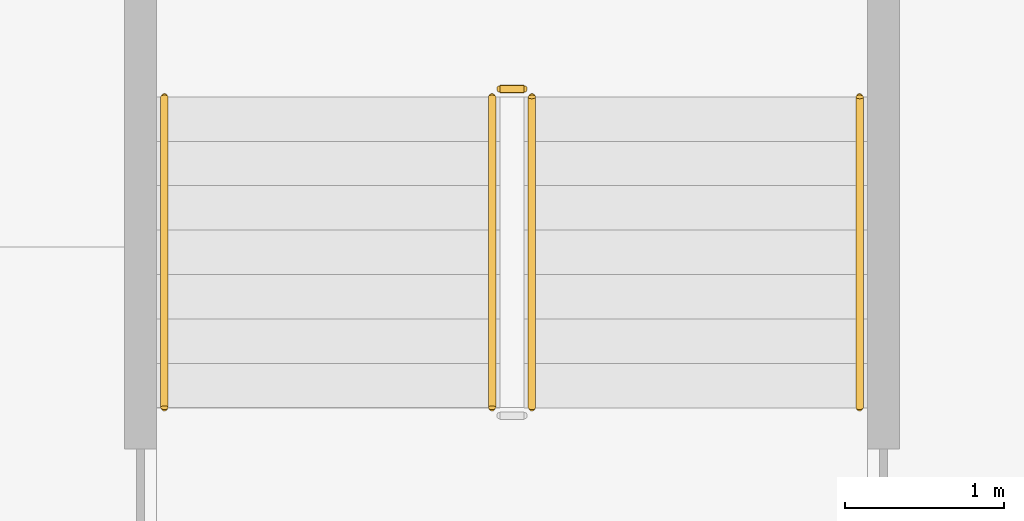
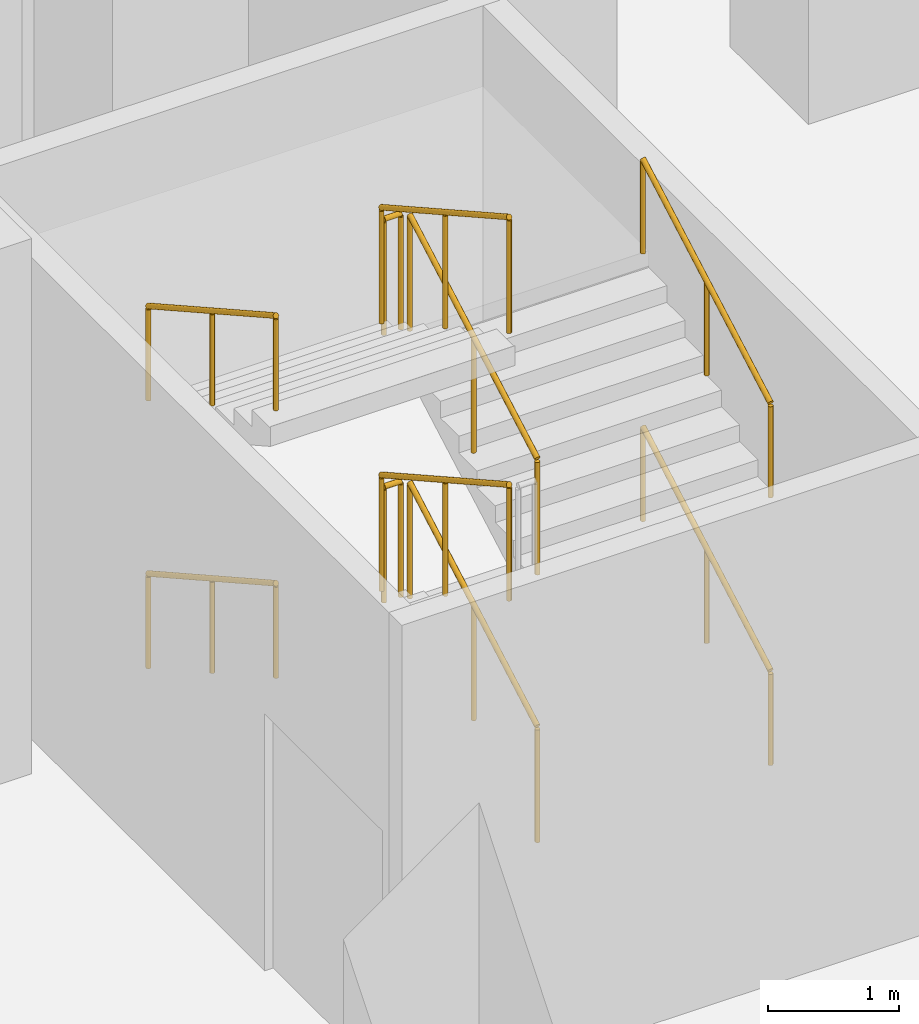
# One storey, part 25 of 27: 10 railings.
"""IFC4 building model written with IfcOpenShell, lengths in metres."""

from ifc_helpers import new_model, si_unit, direction, frame, origin, origin_2d, place, context, subcontext, project, spatial, circle, extrude, material, type_object, element, save


model = new_model("IFC4")

# Units and contexts
model_context = context("Model", 3, precision=1e-05, world=origin(), true_north=direction((0.0, 1.0)))
body_context = subcontext(model_context, "Body", "Model", "MODEL_VIEW")
ifc_project = project(units=[si_unit("LENGTHUNIT", "METRE"), si_unit("AREAUNIT", "SQUARE_METRE"), si_unit("VOLUMEUNIT", "CUBIC_METRE"), si_unit("PLANEANGLEUNIT", "RADIAN"), si_unit("MASSUNIT", "GRAM", prefix="KILO")], contexts=[model_context])

# Site, building, storey
site_placement = place(None, origin())
site = spatial("IfcSite", under=ifc_project, at=site_placement, CompositionType="ELEMENT")
building_placement = place(site_placement, origin())
building = spatial("IfcBuilding", under=site, at=building_placement, Name="Calabash Gate Tower", CompositionType="ELEMENT")
storey_placement = place(building_placement, frame((0.0, 0.0, -10.0)))
storey = spatial("IfcBuildingStorey", under=building, at=storey_placement, Name="B2", CompositionType="ELEMENT", Elevation=-10.0)

# Railings
ifc_material_1 = material(Name="Black powder-coated steel balusters", Category="steel")
railing_type_1 = type_object("IfcRailingType", Name="Stair guard RL1100", PredefinedType="GUARDRAIL", material=ifc_material_1)
railing_1_placement = place(storey_placement, frame((-35.81005859375, 16.159912109375, 0.15625)))
element("IfcRailing", 1, at=railing_1_placement, inside=storey, type_object=railing_type_1, Name="B2 PS5 stair guard 1", PredefinedType="GUARDRAIL", context=body_context, shape_type="SweptSolid", body=[
    extrude(circle(Radius=0.02392578125, at=origin_2d()), frame((0.0, 0.0, 1.076171875), z_axis=(0.0, 0.87250601595, 0.488603368932), x_axis=(-1.0, 0.0, 0.0)), (0.0, 0.0, 1.0), 2.238525390625),
    extrude(circle(Radius=0.02099609375, at=origin_2d()), origin(), (0.0, 0.0, 1.0), 1.052001953125),
    extrude(circle(Radius=0.02099609375, at=origin_2d()), frame((0.0, 0.9765625, 0.546875)), (0.0, 0.0, 1.0), 1.052001953125),
    extrude(circle(Radius=0.02099609375, at=origin_2d()), frame((0.0, 1.953125, 1.09375)), (0.0, 0.0, 1.0), 1.052001953125),
])
railing_2_placement = place(storey_placement, frame((-35.860107421875, 18.1630859375, 1.25)))
element("IfcRailing", 2, at=railing_2_placement, inside=storey, type_object=railing_type_1, Name="B2 PS5 stair guard 2", PredefinedType="GUARDRAIL", context=body_context, shape_type="SweptSolid", body=[
    extrude(circle(Radius=0.02392578125, at=origin_2d()), frame((0.0, 0.0, 1.076171875), z_axis=(-1.0, 0.0, 0.0), x_axis=(0.0, -1.0, 0.0)), (0.0, 0.0, 1.0), 0.14990234375),
    extrude(circle(Radius=0.02099609375, at=origin_2d()), origin(), (0.0, 0.0, 1.0), 1.052001953125),
    extrude(circle(Radius=0.02099609375, at=origin_2d()), frame((-0.14990234375, 0.0, 0.0)), (0.0, 0.0, 1.0), 1.052001953125),
])
railing_3_placement = place(storey_placement, frame((-36.06005859375, 18.113037109375, 1.40625)))
element("IfcRailing", 3, at=railing_3_placement, inside=storey, type_object=railing_type_1, Name="B2 PS5 stair guard 3", PredefinedType="GUARDRAIL", context=body_context, shape_type="SweptSolid", body=[
    extrude(circle(Radius=0.02392578125, at=origin_2d()), frame((0.0, 0.0, 1.076171875), z_axis=(0.0, -0.87250601595, 0.488603368932), x_axis=(1.0, 0.0, 0.0)), (0.0, 0.0, 1.0), 2.238525390625),
    extrude(circle(Radius=0.02099609375, at=origin_2d()), origin(), (0.0, 0.0, 1.0), 1.052001953125),
    extrude(circle(Radius=0.02099609375, at=origin_2d()), frame((0.0, -0.9765625, 0.546875)), (0.0, 0.0, 1.0), 1.052001953125),
    extrude(circle(Radius=0.02099609375, at=origin_2d()), frame((0.0, -1.953125, 1.09375)), (0.0, 0.0, 1.0), 1.052001953125),
])
railing_4_placement = place(storey_placement, frame((-35.81005859375, 16.159912109375, 2.65625)))
element("IfcRailing", 4, at=railing_4_placement, inside=storey, type_object=railing_type_1, Name="B2 PS5 stair guard 5", PredefinedType="GUARDRAIL", context=body_context, shape_type="SweptSolid", body=[
    extrude(circle(Radius=0.02392578125, at=origin_2d()), frame((0.0, 0.0, 1.076171875), z_axis=(0.0, 0.87250601595, 0.488603368932), x_axis=(-1.0, 0.0, 0.0)), (0.0, 0.0, 1.0), 2.238525390625),
    extrude(circle(Radius=0.02099609375, at=origin_2d()), origin(), (0.0, 0.0, 1.0), 1.052001953125),
    extrude(circle(Radius=0.02099609375, at=origin_2d()), frame((0.0, 0.9765625, 0.546875)), (0.0, 0.0, 1.0), 1.052001953125),
    extrude(circle(Radius=0.02099609375, at=origin_2d()), frame((0.0, 1.953125, 1.09375)), (0.0, 0.0, 1.0), 1.052001953125),
])
railing_5_placement = place(storey_placement, frame((-35.860107421875, 18.1630859375, 3.75)))
element("IfcRailing", 5, at=railing_5_placement, inside=storey, type_object=railing_type_1, Name="B2 PS5 stair guard 6", PredefinedType="GUARDRAIL", context=body_context, shape_type="SweptSolid", body=[
    extrude(circle(Radius=0.02392578125, at=origin_2d()), frame((0.0, 0.0, 1.076171875), z_axis=(-1.0, 0.0, 0.0), x_axis=(0.0, -1.0, 0.0)), (0.0, 0.0, 1.0), 0.14990234375),
    extrude(circle(Radius=0.02099609375, at=origin_2d()), origin(), (0.0, 0.0, 1.0), 1.052001953125),
    extrude(circle(Radius=0.02099609375, at=origin_2d()), frame((-0.14990234375, 0.0, 0.0)), (0.0, 0.0, 1.0), 1.052001953125),
])
railing_6_placement = place(storey_placement, frame((-36.06005859375, 18.113037109375, 3.90625)))
element("IfcRailing", 6, at=railing_6_placement, inside=storey, type_object=railing_type_1, Name="B2 PS5 stair guard 7", PredefinedType="GUARDRAIL", context=body_context, shape_type="SweptSolid", body=[
    extrude(circle(Radius=0.02392578125, at=origin_2d()), frame((0.0, 0.0, 1.076171875), z_axis=(0.0, -0.87250601595, 0.488603368932), x_axis=(1.0, 0.0, 0.0)), (0.0, 0.0, 1.0), 2.238525390625),
    extrude(circle(Radius=0.02099609375, at=origin_2d()), origin(), (0.0, 0.0, 1.0), 1.052001953125),
    extrude(circle(Radius=0.02099609375, at=origin_2d()), frame((0.0, -0.9765625, 0.546875)), (0.0, 0.0, 1.0), 1.052001953125),
    extrude(circle(Radius=0.02099609375, at=origin_2d()), frame((0.0, -1.953125, 1.09375)), (0.0, 0.0, 1.0), 1.052001953125),
])
ifc_material_2 = material(Name="Black powder-coated steel tube 48 mm", Category="steel")
railing_type_2 = type_object("IfcRailingType", Name="Stair handrail RL900", PredefinedType="HANDRAIL", material=ifc_material_2)
railing_7_placement = place(storey_placement, frame((-33.75, 16.159912109375, 0.15625)))
element("IfcRailing", 7, at=railing_7_placement, inside=storey, type_object=railing_type_2, Name="B2 PS5 stair handrail 1", PredefinedType="HANDRAIL", context=body_context, shape_type="SweptSolid", body=[
    extrude(circle(Radius=0.02392578125, at=origin_2d()), frame((0.0, 0.0, 0.8759765625), z_axis=(0.0, 0.87250601595, 0.488603368932), x_axis=(-1.0, 0.0, 0.0)), (0.0, 0.0, 1.0), 2.238525390625),
    extrude(circle(Radius=0.02099609375, at=origin_2d()), origin(), (0.0, 0.0, 1.0), 0.851806640625),
    extrude(circle(Radius=0.02099609375, at=origin_2d()), frame((0.0, 0.9765625, 0.546875)), (0.0, 0.0, 1.0), 0.851806640625),
    extrude(circle(Radius=0.02099609375, at=origin_2d()), frame((0.0, 1.953125, 1.09375)), (0.0, 0.0, 1.0), 0.851806640625),
])
railing_8_placement = place(storey_placement, frame((-38.1201171875, 18.113037109375, 1.40625)))
element("IfcRailing", 8, at=railing_8_placement, inside=storey, type_object=railing_type_2, Name="B2 PS5 stair handrail 2", PredefinedType="HANDRAIL", context=body_context, shape_type="SweptSolid", body=[
    extrude(circle(Radius=0.02392578125, at=origin_2d()), frame((0.0, 0.0, 0.8759765625), z_axis=(0.0, -0.87250601595, 0.488603368932), x_axis=(1.0, 0.0, 0.0)), (0.0, 0.0, 1.0), 2.238525390625),
    extrude(circle(Radius=0.02099609375, at=origin_2d()), origin(), (0.0, 0.0, 1.0), 0.851806640625),
    extrude(circle(Radius=0.02099609375, at=origin_2d()), frame((0.0, -0.9765625, 0.546875)), (0.0, 0.0, 1.0), 0.851806640625),
    extrude(circle(Radius=0.02099609375, at=origin_2d()), frame((0.0, -1.953125, 1.09375)), (0.0, 0.0, 1.0), 0.851806640625),
])
railing_9_placement = place(storey_placement, frame((-33.75, 16.159912109375, 2.65625)))
element("IfcRailing", 9, at=railing_9_placement, inside=storey, type_object=railing_type_2, Name="B2 PS5 stair handrail 3", PredefinedType="HANDRAIL", context=body_context, shape_type="SweptSolid", body=[
    extrude(circle(Radius=0.02392578125, at=origin_2d()), frame((0.0, 0.0, 0.8759765625), z_axis=(0.0, 0.87250601595, 0.488603368932), x_axis=(-1.0, 0.0, 0.0)), (0.0, 0.0, 1.0), 2.238525390625),
    extrude(circle(Radius=0.02099609375, at=origin_2d()), origin(), (0.0, 0.0, 1.0), 0.851806640625),
    extrude(circle(Radius=0.02099609375, at=origin_2d()), frame((0.0, 0.9765625, 0.546875)), (0.0, 0.0, 1.0), 0.851806640625),
    extrude(circle(Radius=0.02099609375, at=origin_2d()), frame((0.0, 1.953125, 1.09375)), (0.0, 0.0, 1.0), 0.851806640625),
])
railing_10_placement = place(storey_placement, frame((-38.1201171875, 18.113037109375, 3.90625)))
element("IfcRailing", 10, at=railing_10_placement, inside=storey, type_object=railing_type_2, Name="B2 PS5 stair handrail 4", PredefinedType="HANDRAIL", context=body_context, shape_type="SweptSolid", body=[
    extrude(circle(Radius=0.02392578125, at=origin_2d()), frame((0.0, 0.0, 0.8759765625), z_axis=(0.0, -0.87250601595, 0.488603368932), x_axis=(1.0, 0.0, 0.0)), (0.0, 0.0, 1.0), 2.238525390625),
    extrude(circle(Radius=0.02099609375, at=origin_2d()), origin(), (0.0, 0.0, 1.0), 0.851806640625),
    extrude(circle(Radius=0.02099609375, at=origin_2d()), frame((0.0, -0.9765625, 0.546875)), (0.0, 0.0, 1.0), 0.851806640625),
    extrude(circle(Radius=0.02099609375, at=origin_2d()), frame((0.0, -1.953125, 1.09375)), (0.0, 0.0, 1.0), 0.851806640625),
])

save(model, "model.ifc")
